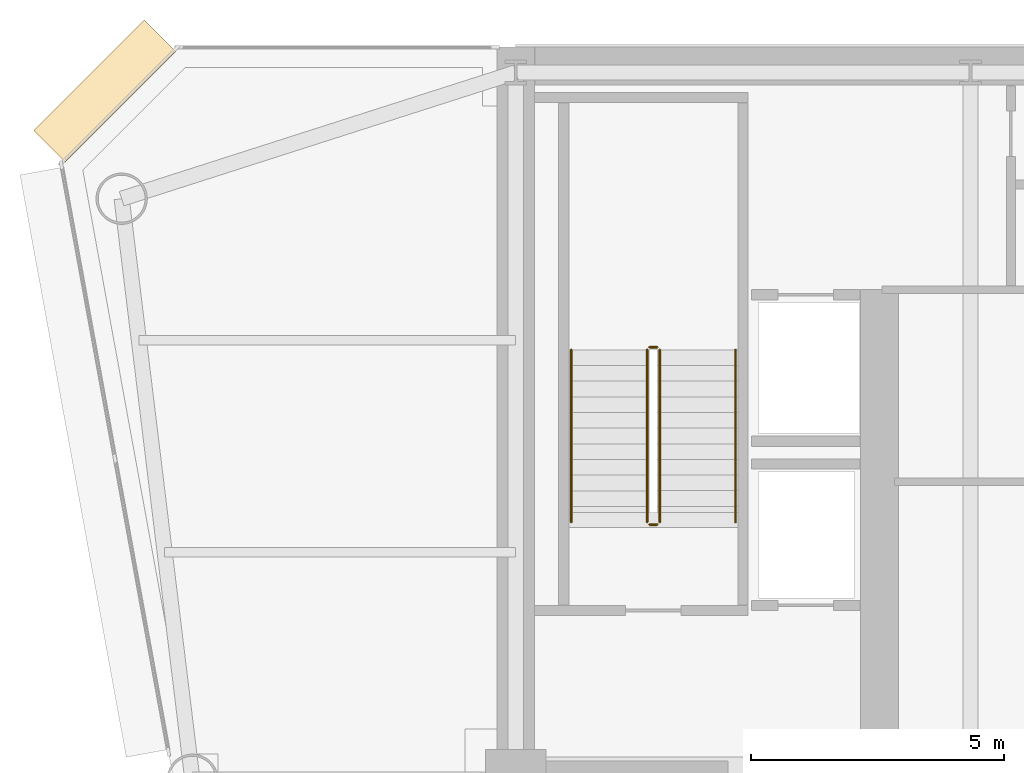
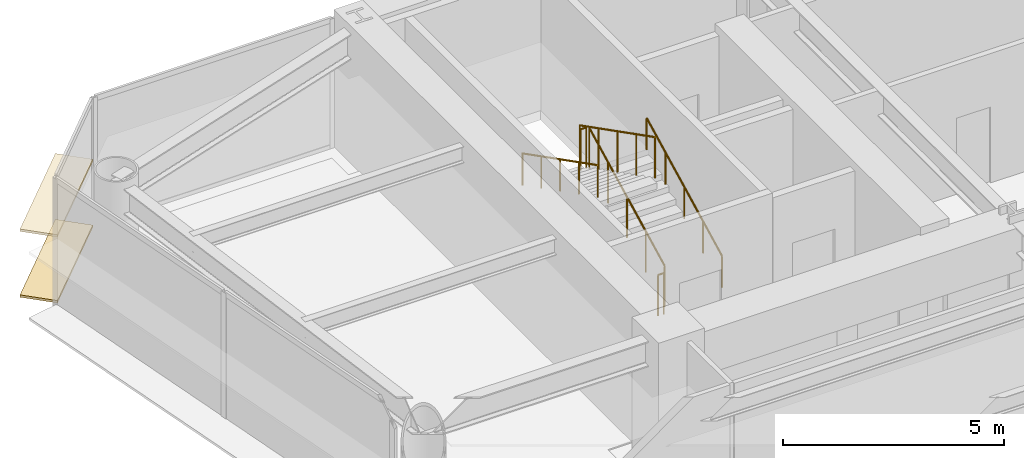
# One storey, part 15 of 17: 6 railings, 2 coverings.
"""IFC4 building model written with IfcOpenShell, lengths in metres."""

from ifc_helpers import new_model, si_unit, direction, frame, origin, origin_2d, place, context, subcontext, project, spatial, rectangle, circle, extrude, source, transform, mapped, material, layer, layer_set, type_object, element, save


model = new_model("IFC4")

# Units and contexts
model_context = context("Model", 3, precision=1e-05, world=origin(), true_north=direction((0.0, 1.0)))
body_context = subcontext(model_context, "Body", "Model", "MODEL_VIEW")
ifc_project = project(units=[si_unit("LENGTHUNIT", "METRE"), si_unit("AREAUNIT", "SQUARE_METRE"), si_unit("VOLUMEUNIT", "CUBIC_METRE"), si_unit("PLANEANGLEUNIT", "RADIAN"), si_unit("MASSUNIT", "GRAM", prefix="KILO")], contexts=[model_context])

# Site, building, storey
site_placement = place(None, origin())
site = spatial("IfcSite", under=ifc_project, at=site_placement, CompositionType="ELEMENT")
building_placement = place(site_placement, origin())
building = spatial("IfcBuilding", under=site, at=building_placement, Name="Vaeldorn Concourse Tower", CompositionType="ELEMENT")
storey_placement = place(building_placement, frame((0.0, 0.0, 153.800048828125)))
storey = spatial("IfcBuildingStorey", under=building, at=storey_placement, Name="L39", CompositionType="ELEMENT", Elevation=153.800048828125)

# Railings
ifc_material = material(Name="Anodised Bronze Aluminium", Category="aluminium")
railing_type_1 = type_object("IfcRailingType", Name="RL-STAIR-GUARD", PredefinedType="GUARDRAIL", material=ifc_material)
railing_1_placement = place(storey_placement, frame((16.85009765625, 41.60009765625, 0.158203125)))
element("IfcRailing", 1, at=railing_1_placement, inside=storey, type_object=railing_type_1, Name="L39 ST-1 stair guard 1", PredefinedType="GUARDRAIL", context=body_context, shape_type="SweptSolid", body=[
    extrude(circle(Radius=0.02392578125, at=origin_2d()), frame((0.0, 0.0, 1.1259765625), z_axis=(0.0, 0.890555807335, 0.454873997962), x_axis=(-1.0, 0.0, 0.0)), (0.0, 0.0, 1.0), 3.828857421875),
    extrude(circle(Radius=0.02099609375, at=origin_2d()), origin(), (0.0, 0.0, 1.0), 1.101806640625),
    extrude(circle(Radius=0.02099609375, at=origin_2d()), frame((0.0, 0.8525390625, 0.435546875)), (0.0, 0.0, 1.0), 1.101806640625),
    extrude(circle(Radius=0.02099609375, at=origin_2d()), frame((0.0, 1.705078125, 0.870849609375)), (0.0, 0.0, 1.0), 1.101806640625),
    extrude(circle(Radius=0.02099609375, at=origin_2d()), frame((0.0, 2.557373046875, 1.30615234375)), (0.0, 0.0, 1.0), 1.101806640625),
    extrude(circle(Radius=0.02099609375, at=origin_2d()), frame((0.0, 3.409912109375, 1.74169921875)), (0.0, 0.0, 1.0), 1.101806640625),
])
railing_2_placement = place(storey_placement, frame((16.800048828125, 45.06005859375, 1.89990234375)))
element("IfcRailing", 2, at=railing_2_placement, inside=storey, type_object=railing_type_1, Name="L39 ST-1 stair guard 2", PredefinedType="GUARDRAIL", context=body_context, shape_type="SweptSolid", body=[
    extrude(circle(Radius=0.02392578125, at=origin_2d()), frame((0.0, 0.0, 1.1259765625), z_axis=(-1.0, 0.0, 0.0), x_axis=(0.0, -1.0, 0.0)), (0.0, 0.0, 1.0), 0.150146484375),
    extrude(circle(Radius=0.02099609375, at=origin_2d()), origin(), (0.0, 0.0, 1.0), 1.101806640625),
    extrude(circle(Radius=0.02099609375, at=origin_2d()), frame((-0.150146484375, 0.0, 0.0)), (0.0, 0.0, 1.0), 1.101806640625),
])
railing_3_placement = place(storey_placement, frame((16.60009765625, 45.010009765625, 2.058349609375)))
element("IfcRailing", 3, at=railing_3_placement, inside=storey, type_object=railing_type_1, Name="L39 ST-1 stair guard 3", PredefinedType="GUARDRAIL", context=body_context, shape_type="SweptSolid", body=[
    extrude(circle(Radius=0.02392578125, at=origin_2d()), frame((0.0, 0.0, 1.1259765625), z_axis=(0.0, -0.890555807335, 0.454873997962), x_axis=(1.0, 0.0, 0.0)), (0.0, 0.0, 1.0), 3.828857421875),
    extrude(circle(Radius=0.02099609375, at=origin_2d()), origin(), (0.0, 0.0, 1.0), 1.101806640625),
    extrude(circle(Radius=0.02099609375, at=origin_2d()), frame((0.0, -0.8525390625, 0.435546875)), (0.0, 0.0, 1.0), 1.101806640625),
    extrude(circle(Radius=0.02099609375, at=origin_2d()), frame((0.0, -1.705078125, 0.870849609375)), (0.0, 0.0, 1.0), 1.101806640625),
    extrude(circle(Radius=0.02099609375, at=origin_2d()), frame((0.0, -2.557373046875, 1.30615234375)), (0.0, 0.0, 1.0), 1.101806640625),
    extrude(circle(Radius=0.02099609375, at=origin_2d()), frame((0.0, -3.409912109375, 1.74169921875)), (0.0, 0.0, 1.0), 1.101806640625),
])
railing_4_placement = place(storey_placement, frame((16.800048828125, 41.550048828125, 0.0)))
element("IfcRailing", 4, at=railing_4_placement, inside=storey, type_object=railing_type_1, Name="L39 ST-1 stair guard 4", PredefinedType="GUARDRAIL", context=body_context, shape_type="SweptSolid", body=[
    extrude(circle(Radius=0.02392578125, at=origin_2d()), frame((0.0, 0.0, 1.1259765625), z_axis=(-1.0, 0.0, 0.0), x_axis=(0.0, -1.0, 0.0)), (0.0, 0.0, 1.0), 0.150146484375),
    extrude(circle(Radius=0.02099609375, at=origin_2d()), origin(), (0.0, 0.0, 1.0), 1.101806640625),
    extrude(circle(Radius=0.02099609375, at=origin_2d()), frame((-0.150146484375, 0.0, 0.0)), (0.0, 0.0, 1.0), 1.101806640625),
])
railing_type_2 = type_object("IfcRailingType", Name="RL-STAIR-HANDRAIL", PredefinedType="HANDRAIL", material=ifc_material)
railing_5_placement = place(storey_placement, frame((18.35009765625, 41.60009765625, 0.158203125)))
element("IfcRailing", 5, at=railing_5_placement, inside=storey, type_object=railing_type_2, Name="L39 ST-1 stair handrail 1", PredefinedType="HANDRAIL", context=body_context, shape_type="SweptSolid", body=[
    extrude(circle(Radius=0.02392578125, at=origin_2d()), frame((0.0, 0.0, 0.8759765625), z_axis=(0.0, 0.890555807335, 0.454873997962), x_axis=(-1.0, 0.0, 0.0)), (0.0, 0.0, 1.0), 3.828857421875),
    extrude(circle(Radius=0.02099609375, at=origin_2d()), origin(), (0.0, 0.0, 1.0), 0.851806640625),
    extrude(circle(Radius=0.02099609375, at=origin_2d()), frame((0.0, 0.8525390625, 0.435546875)), (0.0, 0.0, 1.0), 0.851806640625),
    extrude(circle(Radius=0.02099609375, at=origin_2d()), frame((0.0, 1.705078125, 0.870849609375)), (0.0, 0.0, 1.0), 0.851806640625),
    extrude(circle(Radius=0.02099609375, at=origin_2d()), frame((0.0, 2.557373046875, 1.30615234375)), (0.0, 0.0, 1.0), 0.851806640625),
    extrude(circle(Radius=0.02099609375, at=origin_2d()), frame((0.0, 3.409912109375, 1.74169921875)), (0.0, 0.0, 1.0), 0.851806640625),
])
railing_6_placement = place(storey_placement, frame((15.10009765625, 45.010009765625, 2.058349609375)))
element("IfcRailing", 6, at=railing_6_placement, inside=storey, type_object=railing_type_2, Name="L39 ST-1 stair handrail 2", PredefinedType="HANDRAIL", context=body_context, shape_type="SweptSolid", body=[
    extrude(circle(Radius=0.02392578125, at=origin_2d()), frame((0.0, 0.0, 0.8759765625), z_axis=(0.0, -0.890555807335, 0.454873997962), x_axis=(1.0, 0.0, 0.0)), (0.0, 0.0, 1.0), 3.828857421875),
    extrude(circle(Radius=0.02099609375, at=origin_2d()), origin(), (0.0, 0.0, 1.0), 0.851806640625),
    extrude(circle(Radius=0.02099609375, at=origin_2d()), frame((0.0, -0.8525390625, 0.435546875)), (0.0, 0.0, 1.0), 0.851806640625),
    extrude(circle(Radius=0.02099609375, at=origin_2d()), frame((0.0, -1.705078125, 0.870849609375)), (0.0, 0.0, 1.0), 0.851806640625),
    extrude(circle(Radius=0.02099609375, at=origin_2d()), frame((0.0, -2.557373046875, 1.30615234375)), (0.0, 0.0, 1.0), 0.851806640625),
    extrude(circle(Radius=0.02099609375, at=origin_2d()), frame((0.0, -3.409912109375, 1.74169921875)), (0.0, 0.0, 1.0), 0.851806640625),
])

# Coverings
ifc_layer = layer(ifc_material, 0.06494140625)
ifc_layer_set = layer_set([ifc_layer], Name="Anodised Bronze Aluminium")
covering_type = type_object("IfcCoveringType", Name="SD-BRONZE-SUNSHADE", PredefinedType="USERDEFINED", material=ifc_layer_set)
shared_shape = source(origin(), body_context, "Body", "SweptSolid", [
    extrude(rectangle(XDim=3.0927734375, YDim=0.8798828125, at=origin_2d()), origin(), (0.0, 0.0, 1.0), 0.06494140625),
])
for number, where, z_axis, x_axis, name in (
    (7, (5.8671875, 50.1328125, 0.04736328125), (0.0, 0.0, 1.0), (-0.707106781187, -0.707106781187, 0.0), "Horizontal Bronze Sunshade L39-E10.1.1"),
    (8, (5.8671875, 50.1328125, 1.867431640625), (0.0, 0.0, 1.0), (-0.707106781187, -0.707106781187, 0.0), "Horizontal Bronze Sunshade L39-E10.1.2"),
):
    element("IfcCovering", number, at=place(storey_placement, frame(where, z_axis=z_axis, x_axis=x_axis)), inside=storey, type_object=covering_type, Name=name, ObjectType="SUNSHADE", PredefinedType="USERDEFINED", context=body_context, shape_type="MappedRepresentation", body=[
        mapped(shared_shape, transform((0.0, 0.0, 0.0), scale=1.0)),
    ])

save(model, "model.ifc")
